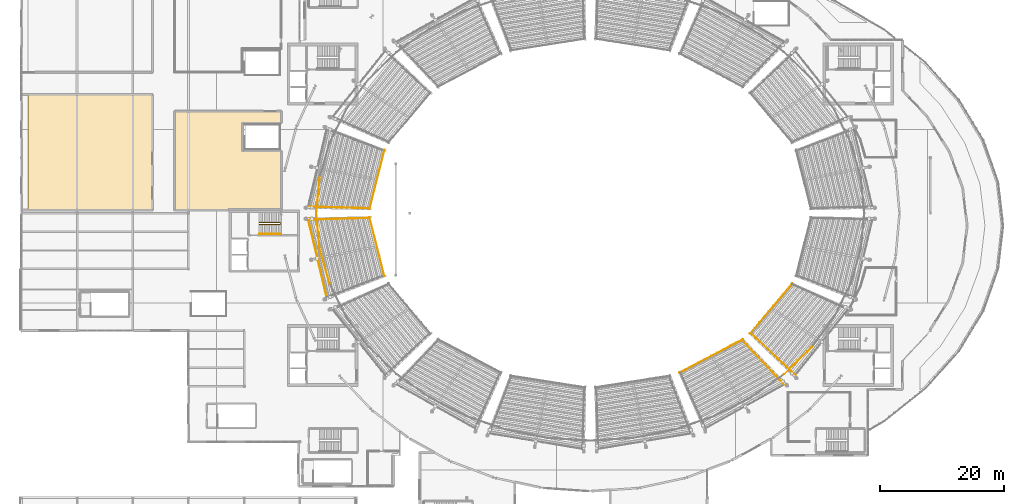
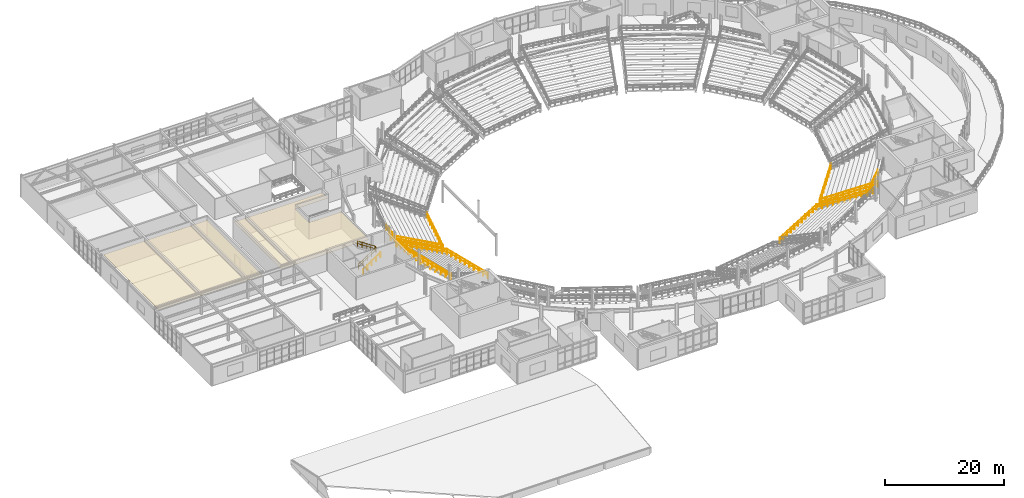
# One storey, part 74 of 81: 15 railings, 2 coverings.
"""IFC4 building model written with IfcOpenShell, lengths in metres."""

from ifc_helpers import new_model, si_unit, direction, frame, origin, origin_2d, place, context, subcontext, project, spatial, polyline, circle, outline, extrude, material, layer, layer_set, type_object, element, save


model = new_model("IFC4")

# Units and contexts
model_context = context("Model", 3, precision=1e-05, world=origin(), true_north=direction((0.0, 1.0)))
body_context = subcontext(model_context, "Body", "Model", "MODEL_VIEW")
ifc_project = project(units=[si_unit("LENGTHUNIT", "METRE"), si_unit("AREAUNIT", "SQUARE_METRE"), si_unit("VOLUMEUNIT", "CUBIC_METRE"), si_unit("PLANEANGLEUNIT", "RADIAN"), si_unit("MASSUNIT", "GRAM", prefix="KILO")], contexts=[model_context])

# Site, building, storey
site_placement = place(None, origin())
site = spatial("IfcSite", under=ifc_project, at=site_placement, CompositionType="ELEMENT")
building_placement = place(site_placement, origin())
building = spatial("IfcBuilding", under=site, at=building_placement, Name="Glasvene Arena", CompositionType="ELEMENT")
storey_placement = place(building_placement, frame((0.0, 0.0, 15.0)))
storey = spatial("IfcBuildingStorey", under=building, at=storey_placement, Name="L03", CompositionType="ELEMENT", Elevation=15.0)

# Coverings
ifc_material_1 = material(Name="Perforated acoustic mineral ceiling tile")
ifc_layer = layer(ifc_material_1, 0.0400390625)
ifc_layer_set = layer_set([ifc_layer], Name="Perforated acoustic mineral ceiling tile")
covering_type = type_object("IfcCoveringType", Name="COV-CEIL-AC", PredefinedType="CEILING", material=ifc_layer_set)
covering_1_placement = place(storey_placement, frame((11.10009765625, 82.85009765625, 3.31005859375)))
element("IfcCovering", 1, at=covering_1_placement, inside=storey, type_object=covering_type, Name="Acoustic suspended ceiling Written Press Conference Room", PredefinedType="CEILING", context=body_context, shape_type="SweptSolid", body=[
    extrude(outline(polyline([(10.079833984375, 9.329833984375), (10.079833984375, -9.330078125), (-10.080078125, -9.330078125), (-10.080078125, 9.329833984375), (10.079833984375, 9.329833984375)])), origin(), (0.0, 0.0, 1.0), 0.0400390625),
])
covering_2_placement = place(storey_placement, frame((35.45068359375, 81.89794921875, 3.31005859375)))
element("IfcCovering", 2, at=covering_2_placement, inside=storey, type_object=covering_type, Name="Acoustic suspended ceiling Photographer and Media Workroom", PredefinedType="CEILING", context=body_context, shape_type="SweptSolid", body=[
    extrude(outline(polyline([(-10.630615234375, -8.3779296875), (-10.630615234375, 7.58203125), (6.529296875, 7.58203125), (6.529296875, 5.72216796875), (0.249267578125, 5.72216796875), (0.235107421875, 5.716064453125), (0.229248046875, 5.7021484375), (0.229248046875, 1.152099609375), (0.23828125, 1.135498046875), (6.529296875, 1.132080078125), (6.529296875, -8.22802734375), (-2.000732421875, -8.22802734375), (-2.01611328125, -8.2353515625), (-2.020751953125, -8.3779296875), (-10.630615234375, -8.3779296875)])), origin(), (0.0, 0.0, 1.0), 0.0400390625),
])

# Railings
ifc_material_2 = material(Name="Brushed stainless steel", Category="steel")
railing_type_1 = type_object("IfcRailingType", Name="RL-GUARD-1100", PredefinedType="GUARDRAIL", material=ifc_material_2)
railing_1_placement = place(storey_placement, frame((38.449951171875, 71.159912109375, 0.0)))
element("IfcRailing", 3, at=railing_1_placement, inside=storey, type_object=railing_type_1, Name="Stair inner well continuous guardrail ST-07-L03", PredefinedType="GUARDRAIL", context=body_context, shape_type="SweptSolid", body=[
    extrude(circle(Radius=0.02392578125, at=origin_2d()), frame((0.0, 0.0, 1.076171875), z_axis=(0.833943147616, 0.0, 0.551850366082), x_axis=(0.0, 1.0, 0.0)), (0.0, 0.0, 1.0), 4.0771484375),
    extrude(circle(Radius=0.01611328125, at=origin_2d()), frame((0.0, 0.0, 0.550048828125), z_axis=(0.833943147616, 0.0, 0.551850366082), x_axis=(0.0, 1.0, 0.0)), (0.0, 0.0, 1.0), 4.0771484375),
    extrude(circle(Radius=0.02392578125, at=origin_2d()), frame((3.400146484375, 0.0, 3.326171875), z_axis=(0.0, 1.0, 0.0), x_axis=(-1.0, 0.0, 0.0)), (0.0, 0.0, 1.0), 0.330078125),
    extrude(circle(Radius=0.01611328125, at=origin_2d()), frame((3.400146484375, 0.0, 2.800048828125), z_axis=(0.0, 1.0, 0.0), x_axis=(-1.0, 0.0, 0.0)), (0.0, 0.0, 1.0), 0.330078125),
    extrude(circle(Radius=0.02392578125, at=origin_2d()), frame((3.400146484375, 0.330078125, 3.326171875), z_axis=(-0.833943147616, 0.0, 0.551850366082), x_axis=(0.0, -1.0, 0.0)), (0.0, 0.0, 1.0), 4.0771484375),
    extrude(circle(Radius=0.01611328125, at=origin_2d()), frame((3.400146484375, 0.330078125, 2.800048828125), z_axis=(-0.833943147616, 0.0, 0.551850366082), x_axis=(0.0, -1.0, 0.0)), (0.0, 0.0, 1.0), 4.0771484375),
    extrude(circle(Radius=0.02099609375, at=origin_2d()), origin(), (0.0, 0.0, 1.0), 1.052001953125),
    extrude(circle(Radius=0.02099609375, at=origin_2d()), frame((0.85009765625, 0.0, 0.5625)), (0.0, 0.0, 1.0), 1.052001953125),
    extrude(circle(Radius=0.02099609375, at=origin_2d()), frame((1.7001953125, 0.0, 1.125)), (0.0, 0.0, 1.0), 1.052001953125),
    extrude(circle(Radius=0.02099609375, at=origin_2d()), frame((2.550048828125, 0.0, 1.6875)), (0.0, 0.0, 1.0), 1.052001953125),
    extrude(circle(Radius=0.02099609375, at=origin_2d()), frame((3.400146484375, 0.0, 2.25)), (0.0, 0.0, 1.0), 1.052001953125),
    extrude(circle(Radius=0.02099609375, at=origin_2d()), frame((3.400146484375, 0.330078125, 2.25)), (0.0, 0.0, 1.0), 1.052001953125),
    extrude(circle(Radius=0.02099609375, at=origin_2d()), frame((2.550048828125, 0.330078125, 2.8125)), (0.0, 0.0, 1.0), 1.052001953125),
    extrude(circle(Radius=0.02099609375, at=origin_2d()), frame((1.7001953125, 0.330078125, 3.375)), (0.0, 0.0, 1.0), 1.052001953125),
    extrude(circle(Radius=0.02099609375, at=origin_2d()), frame((0.85009765625, 0.330078125, 3.9375)), (0.0, 0.0, 1.0), 1.052001953125),
    extrude(circle(Radius=0.02099609375, at=origin_2d()), frame((0.0, 0.330078125, 4.5)), (0.0, 0.0, 1.0), 1.052001953125),
])
railing_2_placement = place(storey_placement, frame((48.2255859375, 78.760009765625, 0.0)))
element("IfcRailing", 4, at=railing_2_placement, inside=storey, type_object=railing_type_1, Name="Safety guardrail GD-BWL-L03-020", PredefinedType="GUARDRAIL", context=body_context, shape_type="SweptSolid", body=[
    extrude(circle(Radius=0.02392578125, at=origin_2d()), frame((0.0, 0.0, 1.076171875), z_axis=(-0.094309265042, -0.99554294861, 0.0), x_axis=(0.99554294861, -0.094309265042, 0.0)), (0.0, 0.0, 1.0), 5.785888671875),
    extrude(circle(Radius=0.01611328125, at=origin_2d()), frame((0.0, 0.0, 0.550048828125), z_axis=(-0.094309265042, -0.99554294861, 0.0), x_axis=(0.99554294861, -0.094309265042, 0.0)), (0.0, 0.0, 1.0), 5.785888671875),
    extrude(circle(Radius=0.02099609375, at=origin_2d()), origin(), (0.0, 0.0, 1.0), 1.052001953125),
    extrude(circle(Radius=0.02099609375, at=origin_2d()), frame((-0.109130859375, -1.152099609375, 0.0)), (0.0, 0.0, 1.0), 1.052001953125),
    extrude(circle(Radius=0.02099609375, at=origin_2d()), frame((-0.21826171875, -2.303955078125, 0.0)), (0.0, 0.0, 1.0), 1.052001953125),
    extrude(circle(Radius=0.02099609375, at=origin_2d()), frame((-0.327392578125, -3.4560546875, 0.0)), (0.0, 0.0, 1.0), 1.052001953125),
    extrude(circle(Radius=0.02099609375, at=origin_2d()), frame((-0.4365234375, -4.60791015625, 0.0)), (0.0, 0.0, 1.0), 1.052001953125),
    extrude(circle(Radius=0.02099609375, at=origin_2d()), frame((-0.545654296875, -5.760009765625, 0.0)), (0.0, 0.0, 1.0), 1.052001953125),
])
railing_3_placement = place(storey_placement, frame((47.679931640625, 73.0, 0.0)))
element("IfcRailing", 5, at=railing_3_placement, inside=storey, type_object=railing_type_1, Name="Safety guardrail GD-BWL-L03-021", PredefinedType="GUARDRAIL", context=body_context, shape_type="SweptSolid", body=[
    extrude(circle(Radius=0.02392578125, at=origin_2d()), frame((0.0, 0.0, 1.076171875), z_axis=(0.094309265042, -0.99554294861, 0.0), x_axis=(0.99554294861, 0.094309265042, 0.0)), (0.0, 0.0, 1.0), 5.785888671875),
    extrude(circle(Radius=0.01611328125, at=origin_2d()), frame((0.0, 0.0, 0.550048828125), z_axis=(0.094309265042, -0.99554294861, 0.0), x_axis=(0.99554294861, 0.094309265042, 0.0)), (0.0, 0.0, 1.0), 5.785888671875),
    extrude(circle(Radius=0.02099609375, at=origin_2d()), origin(), (0.0, 0.0, 1.0), 1.052001953125),
    extrude(circle(Radius=0.02099609375, at=origin_2d()), frame((0.109130859375, -1.152099609375, 0.0)), (0.0, 0.0, 1.0), 1.052001953125),
    extrude(circle(Radius=0.02099609375, at=origin_2d()), frame((0.21826171875, -2.303955078125, 0.0)), (0.0, 0.0, 1.0), 1.052001953125),
    extrude(circle(Radius=0.02099609375, at=origin_2d()), frame((0.327392578125, -3.4560546875, 0.0)), (0.0, 0.0, 1.0), 1.052001953125),
    extrude(circle(Radius=0.02099609375, at=origin_2d()), frame((0.4365234375, -4.60791015625, 0.0)), (0.0, 0.0, 1.0), 1.052001953125),
    extrude(circle(Radius=0.02099609375, at=origin_2d()), frame((0.545654296875, -5.760009765625, 0.0)), (0.0, 0.0, 1.0), 1.052001953125),
])
railing_4_placement = place(storey_placement, frame((48.2255859375, 67.239990234375, 0.0)))
element("IfcRailing", 6, at=railing_4_placement, inside=storey, type_object=railing_type_1, Name="Safety guardrail GD-BWL-L03-022", PredefinedType="GUARDRAIL", context=body_context, shape_type="SweptSolid", body=[
    extrude(circle(Radius=0.02392578125, at=origin_2d()), frame((0.0, 0.0, 1.076171875), z_axis=(0.27763127496, -0.960687709489, 0.0), x_axis=(0.960687709489, 0.27763127496, 0.0)), (0.0, 0.0, 1.0), 5.847900390625),
    extrude(circle(Radius=0.01611328125, at=origin_2d()), frame((0.0, 0.0, 0.550048828125), z_axis=(0.27763127496, -0.960687709489, 0.0), x_axis=(0.960687709489, 0.27763127496, 0.0)), (0.0, 0.0, 1.0), 5.847900390625),
    extrude(circle(Radius=0.02099609375, at=origin_2d()), origin(), (0.0, 0.0, 1.0), 1.052001953125),
    extrude(circle(Radius=0.02099609375, at=origin_2d()), frame((0.32470703125, -1.12353515625, 0.0)), (0.0, 0.0, 1.0), 1.052001953125),
    extrude(circle(Radius=0.02099609375, at=origin_2d()), frame((0.6494140625, -2.2470703125, 0.0)), (0.0, 0.0, 1.0), 1.052001953125),
    extrude(circle(Radius=0.02099609375, at=origin_2d()), frame((0.97412109375, -3.370849609375, 0.0)), (0.0, 0.0, 1.0), 1.052001953125),
    extrude(circle(Radius=0.02099609375, at=origin_2d()), frame((1.298828125, -4.494384765625, 0.0)), (0.0, 0.0, 1.0), 1.052001953125),
    extrude(circle(Radius=0.02099609375, at=origin_2d()), frame((1.62353515625, -5.617919921875, 0.0)), (0.0, 0.0, 1.0), 1.052001953125),
])
railing_5_placement = place(storey_placement, frame((123.339111328125, 46.96435546875, 0.0)))
element("IfcRailing", 7, at=railing_5_placement, inside=storey, type_object=railing_type_1, Name="Safety guardrail GD-BWL-L03-036", PredefinedType="GUARDRAIL", context=body_context, shape_type="SweptSolid", body=[
    extrude(circle(Radius=0.02392578125, at=origin_2d()), frame((0.0, 0.0, 1.076171875), z_axis=(0.716822755591, 0.697255431722, 0.0), x_axis=(-0.697255431722, 0.716822755591, 0.0)), (0.0, 0.0, 1.0), 6.30078125),
    extrude(circle(Radius=0.01611328125, at=origin_2d()), frame((0.0, 0.0, 0.550048828125), z_axis=(0.716822755591, 0.697255431722, 0.0), x_axis=(-0.697255431722, 0.716822755591, 0.0)), (0.0, 0.0, 1.0), 6.30078125),
    extrude(circle(Radius=0.02099609375, at=origin_2d()), origin(), (0.0, 0.0, 1.0), 1.052001953125),
    extrude(circle(Radius=0.02099609375, at=origin_2d()), frame((0.752685546875, 0.732177734375, 0.0)), (0.0, 0.0, 1.0), 1.052001953125),
    extrude(circle(Radius=0.02099609375, at=origin_2d()), frame((1.505615234375, 1.46435546875, 0.0)), (0.0, 0.0, 1.0), 1.052001953125),
    extrude(circle(Radius=0.02099609375, at=origin_2d()), frame((2.25830078125, 2.19677734375, 0.0)), (0.0, 0.0, 1.0), 1.052001953125),
    extrude(circle(Radius=0.02099609375, at=origin_2d()), frame((3.010986328125, 2.928955078125, 0.0)), (0.0, 0.0, 1.0), 1.052001953125),
    extrude(circle(Radius=0.02099609375, at=origin_2d()), frame((3.763916015625, 3.6611328125, 0.0)), (0.0, 0.0, 1.0), 1.052001953125),
    extrude(circle(Radius=0.02099609375, at=origin_2d()), frame((4.5166015625, 4.393310546875, 0.0)), (0.0, 0.0, 1.0), 1.052001953125),
])
railing_6_placement = place(storey_placement, frame((58.697509765625, 83.205078125, -3.89990234375)))
element("IfcRailing", 8, at=railing_6_placement, inside=storey, type_object=railing_type_1, Name="Safety guardrail GD-TU-UF-08-001", PredefinedType="GUARDRAIL", context=body_context, shape_type="SweptSolid", body=[
    extrude(circle(Radius=0.02392578125, at=origin_2d()), frame((0.0, 0.0, 1.076171875), z_axis=(-0.24415436349, -0.969736380048, 0.0), x_axis=(0.969736380048, -0.24415436349, 0.0)), (0.0, 0.0, 1.0), 9.863525390625),
    extrude(circle(Radius=0.01611328125, at=origin_2d()), frame((0.0, 0.0, 0.550048828125), z_axis=(-0.24415436349, -0.969736380048, 0.0), x_axis=(0.969736380048, -0.24415436349, 0.0)), (0.0, 0.0, 1.0), 9.863525390625),
    extrude(circle(Radius=0.02099609375, at=origin_2d()), origin(), (0.0, 0.0, 1.0), 1.052001953125),
    extrude(circle(Radius=0.02099609375, at=origin_2d()), frame((-0.267578125, -1.062744140625, 0.0)), (0.0, 0.0, 1.0), 1.052001953125),
    extrude(circle(Radius=0.02099609375, at=origin_2d()), frame((-0.53515625, -2.12548828125, 0.0)), (0.0, 0.0, 1.0), 1.052001953125),
    extrude(circle(Radius=0.02099609375, at=origin_2d()), frame((-0.802734375, -3.188232421875, 0.0)), (0.0, 0.0, 1.0), 1.052001953125),
    extrude(circle(Radius=0.02099609375, at=origin_2d()), frame((-1.0703125, -4.2509765625, 0.0)), (0.0, 0.0, 1.0), 1.052001953125),
    extrude(circle(Radius=0.02099609375, at=origin_2d()), frame((-1.337890625, -5.31396484375, 0.0)), (0.0, 0.0, 1.0), 1.052001953125),
    extrude(circle(Radius=0.02099609375, at=origin_2d()), frame((-1.60546875, -6.376708984375, 0.0)), (0.0, 0.0, 1.0), 1.052001953125),
    extrude(circle(Radius=0.02099609375, at=origin_2d()), frame((-1.873046875, -7.439453125, 0.0)), (0.0, 0.0, 1.0), 1.052001953125),
    extrude(circle(Radius=0.02099609375, at=origin_2d()), frame((-2.140625, -8.502197265625, 0.0)), (0.0, 0.0, 1.0), 1.052001953125),
    extrude(circle(Radius=0.02099609375, at=origin_2d()), frame((-2.408203125, -9.56494140625, 0.0)), (0.0, 0.0, 1.0), 1.052001953125),
])
railing_7_placement = place(storey_placement, frame((56.263671875, 73.781982421875, -3.89990234375)))
element("IfcRailing", 9, at=railing_7_placement, inside=storey, type_object=railing_type_1, Name="Upper tier radial aisle guard 08-2", PredefinedType="GUARDRAIL", context=body_context, shape_type="SweptSolid", body=[
    extrude(circle(Radius=0.02392578125, at=origin_2d()), frame((0.0, 0.0, 1.076171875), z_axis=(-0.882023201836, 0.024435970289, 0.470571944317), x_axis=(-0.027693826966, -0.99961645242, 0.0)), (0.0, 0.0, 1.0), 11.219970703125),
    extrude(circle(Radius=0.01611328125, at=origin_2d()), frame((0.0, 0.0, 0.550048828125), z_axis=(-0.882023201836, 0.024435970289, 0.470571944317), x_axis=(-0.027693826966, -0.99961645242, 0.0)), (0.0, 0.0, 1.0), 11.219970703125),
    extrude(circle(Radius=0.02099609375, at=origin_2d()), origin(), (0.0, 0.0, 1.0), 1.052001953125),
    extrude(circle(Radius=0.02099609375, at=origin_2d()), frame((-0.98974609375, 0.02734375, 0.528076171875)), (0.0, 0.0, 1.0), 1.052001953125),
    extrude(circle(Radius=0.02099609375, at=origin_2d()), frame((-1.979248046875, 0.054931640625, 1.055908203125)), (0.0, 0.0, 1.0), 1.052001953125),
    extrude(circle(Radius=0.02099609375, at=origin_2d()), frame((-2.96875, 0.082275390625, 1.583984375)), (0.0, 0.0, 1.0), 1.052001953125),
    extrude(circle(Radius=0.02099609375, at=origin_2d()), frame((-3.95849609375, 0.109619140625, 2.11181640625)), (0.0, 0.0, 1.0), 1.052001953125),
    extrude(circle(Radius=0.02099609375, at=origin_2d()), frame((-4.9482421875, 0.13720703125, 2.639892578125)), (0.0, 0.0, 1.0), 1.052001953125),
    extrude(circle(Radius=0.02099609375, at=origin_2d()), frame((-5.937744140625, 0.16455078125, 3.16796875)), (0.0, 0.0, 1.0), 1.052001953125),
    extrude(circle(Radius=0.02099609375, at=origin_2d()), frame((-6.92724609375, 0.19189453125, 3.69580078125)), (0.0, 0.0, 1.0), 1.052001953125),
    extrude(circle(Radius=0.02099609375, at=origin_2d()), frame((-7.9169921875, 0.21923828125, 4.223876953125)), (0.0, 0.0, 1.0), 1.052001953125),
    extrude(circle(Radius=0.02099609375, at=origin_2d()), frame((-8.90673828125, 0.246826171875, 4.751708984375)), (0.0, 0.0, 1.0), 1.052001953125),
    extrude(circle(Radius=0.02099609375, at=origin_2d()), frame((-9.896240234375, 0.274169921875, 5.27978515625)), (0.0, 0.0, 1.0), 1.052001953125),
])
railing_8_placement = place(storey_placement, frame((56.289306640625, 72.35986328125, -3.89990234375)))
element("IfcRailing", 10, at=railing_8_placement, inside=storey, type_object=railing_type_1, Name="Safety guardrail GD-TU-UF-09-001", PredefinedType="GUARDRAIL", context=body_context, shape_type="SweptSolid", body=[
    extrude(circle(Radius=0.02392578125, at=origin_2d()), frame((0.0, 0.0, 1.076171875), z_axis=(0.24415436349, -0.969736380048, 0.0), x_axis=(0.969736380048, 0.24415436349, 0.0)), (0.0, 0.0, 1.0), 9.863525390625),
    extrude(circle(Radius=0.01611328125, at=origin_2d()), frame((0.0, 0.0, 0.550048828125), z_axis=(0.24415436349, -0.969736380048, 0.0), x_axis=(0.969736380048, 0.24415436349, 0.0)), (0.0, 0.0, 1.0), 9.863525390625),
    extrude(circle(Radius=0.02099609375, at=origin_2d()), origin(), (0.0, 0.0, 1.0), 1.052001953125),
    extrude(circle(Radius=0.02099609375, at=origin_2d()), frame((0.267578125, -1.062744140625, 0.0)), (0.0, 0.0, 1.0), 1.052001953125),
    extrude(circle(Radius=0.02099609375, at=origin_2d()), frame((0.53515625, -2.12548828125, 0.0)), (0.0, 0.0, 1.0), 1.052001953125),
    extrude(circle(Radius=0.02099609375, at=origin_2d()), frame((0.802734375, -3.188232421875, 0.0)), (0.0, 0.0, 1.0), 1.052001953125),
    extrude(circle(Radius=0.02099609375, at=origin_2d()), frame((1.0703125, -4.2509765625, 0.0)), (0.0, 0.0, 1.0), 1.052001953125),
    extrude(circle(Radius=0.02099609375, at=origin_2d()), frame((1.337890625, -5.31396484375, 0.0)), (0.0, 0.0, 1.0), 1.052001953125),
    extrude(circle(Radius=0.02099609375, at=origin_2d()), frame((1.60546875, -6.376708984375, 0.0)), (0.0, 0.0, 1.0), 1.052001953125),
    extrude(circle(Radius=0.02099609375, at=origin_2d()), frame((1.873046875, -7.439453125, 0.0)), (0.0, 0.0, 1.0), 1.052001953125),
    extrude(circle(Radius=0.02099609375, at=origin_2d()), frame((2.140625, -8.502197265625, 0.0)), (0.0, 0.0, 1.0), 1.052001953125),
    extrude(circle(Radius=0.02099609375, at=origin_2d()), frame((2.408203125, -9.56494140625, 0.0)), (0.0, 0.0, 1.0), 1.052001953125),
])
railing_9_placement = place(storey_placement, frame((46.331787109375, 72.1337890625, 1.3798828125)))
element("IfcRailing", 11, at=railing_9_placement, inside=storey, type_object=railing_type_1, Name="Safety guardrail GD-TU-UR-09-001", PredefinedType="GUARDRAIL", context=body_context, shape_type="SweptSolid", body=[
    extrude(circle(Radius=0.02392578125, at=origin_2d()), frame((0.0, 0.0, 1.076171875), z_axis=(0.231512176675, -0.972832006079, 0.0), x_axis=(0.972832006079, 0.231512176675, 0.0)), (0.0, 0.0, 1.0), 13.302001953125),
    extrude(circle(Radius=0.01611328125, at=origin_2d()), frame((0.0, 0.0, 0.550048828125), z_axis=(0.231512176675, -0.972832006079, 0.0), x_axis=(0.972832006079, 0.231512176675, 0.0)), (0.0, 0.0, 1.0), 13.302001953125),
    extrude(circle(Radius=0.02099609375, at=origin_2d()), origin(), (0.0, 0.0, 1.0), 1.052001953125),
    extrude(circle(Radius=0.02099609375, at=origin_2d()), frame((0.256591796875, -1.078369140625, 0.0)), (0.0, 0.0, 1.0), 1.052001953125),
    extrude(circle(Radius=0.02099609375, at=origin_2d()), frame((0.51318359375, -2.15673828125, 0.0)), (0.0, 0.0, 1.0), 1.052001953125),
    extrude(circle(Radius=0.02099609375, at=origin_2d()), frame((0.77001953125, -3.235107421875, 0.0)), (0.0, 0.0, 1.0), 1.052001953125),
    extrude(circle(Radius=0.02099609375, at=origin_2d()), frame((1.026611328125, -4.3134765625, 0.0)), (0.0, 0.0, 1.0), 1.052001953125),
    extrude(circle(Radius=0.02099609375, at=origin_2d()), frame((1.283203125, -5.391845703125, 0.0)), (0.0, 0.0, 1.0), 1.052001953125),
    extrude(circle(Radius=0.02099609375, at=origin_2d()), frame((1.539794921875, -6.47021484375, 0.0)), (0.0, 0.0, 1.0), 1.052001953125),
    extrude(circle(Radius=0.02099609375, at=origin_2d()), frame((1.79638671875, -7.548828125, 0.0)), (0.0, 0.0, 1.0), 1.052001953125),
    extrude(circle(Radius=0.02099609375, at=origin_2d()), frame((2.052978515625, -8.627197265625, 0.0)), (0.0, 0.0, 1.0), 1.052001953125),
    extrude(circle(Radius=0.02099609375, at=origin_2d()), frame((2.3095703125, -9.70556640625, 0.0)), (0.0, 0.0, 1.0), 1.052001953125),
    extrude(circle(Radius=0.02099609375, at=origin_2d()), frame((2.56640625, -10.783935546875, 0.0)), (0.0, 0.0, 1.0), 1.052001953125),
    extrude(circle(Radius=0.02099609375, at=origin_2d()), frame((2.822998046875, -11.8623046875, 0.0)), (0.0, 0.0, 1.0), 1.052001953125),
    extrude(circle(Radius=0.02099609375, at=origin_2d()), frame((3.07958984375, -12.940673828125, 0.0)), (0.0, 0.0, 1.0), 1.052001953125),
])
railing_10_placement = place(storey_placement, frame((56.263671875, 72.218017578125, -3.89990234375)))
element("IfcRailing", 12, at=railing_10_placement, inside=storey, type_object=railing_type_1, Name="Upper tier radial aisle guard 09-1", PredefinedType="GUARDRAIL", context=body_context, shape_type="SweptSolid", body=[
    extrude(circle(Radius=0.02392578125, at=origin_2d()), frame((0.0, 0.0, 1.076171875), z_axis=(-0.882023201836, -0.024435970289, 0.470571944317), x_axis=(0.027693826966, -0.99961645242, 0.0)), (0.0, 0.0, 1.0), 11.219970703125),
    extrude(circle(Radius=0.01611328125, at=origin_2d()), frame((0.0, 0.0, 0.550048828125), z_axis=(-0.882023201836, -0.024435970289, 0.470571944317), x_axis=(0.027693826966, -0.99961645242, 0.0)), (0.0, 0.0, 1.0), 11.219970703125),
    extrude(circle(Radius=0.02099609375, at=origin_2d()), origin(), (0.0, 0.0, 1.0), 1.052001953125),
    extrude(circle(Radius=0.02099609375, at=origin_2d()), frame((-0.98974609375, -0.02734375, 0.528076171875)), (0.0, 0.0, 1.0), 1.052001953125),
    extrude(circle(Radius=0.02099609375, at=origin_2d()), frame((-1.979248046875, -0.054931640625, 1.055908203125)), (0.0, 0.0, 1.0), 1.052001953125),
    extrude(circle(Radius=0.02099609375, at=origin_2d()), frame((-2.96875, -0.082275390625, 1.583984375)), (0.0, 0.0, 1.0), 1.052001953125),
    extrude(circle(Radius=0.02099609375, at=origin_2d()), frame((-3.95849609375, -0.109619140625, 2.11181640625)), (0.0, 0.0, 1.0), 1.052001953125),
    extrude(circle(Radius=0.02099609375, at=origin_2d()), frame((-4.9482421875, -0.13720703125, 2.639892578125)), (0.0, 0.0, 1.0), 1.052001953125),
    extrude(circle(Radius=0.02099609375, at=origin_2d()), frame((-5.937744140625, -0.16455078125, 3.16796875)), (0.0, 0.0, 1.0), 1.052001953125),
    extrude(circle(Radius=0.02099609375, at=origin_2d()), frame((-6.92724609375, -0.19189453125, 3.69580078125)), (0.0, 0.0, 1.0), 1.052001953125),
    extrude(circle(Radius=0.02099609375, at=origin_2d()), frame((-7.9169921875, -0.21923828125, 4.223876953125)), (0.0, 0.0, 1.0), 1.052001953125),
    extrude(circle(Radius=0.02099609375, at=origin_2d()), frame((-8.90673828125, -0.246826171875, 4.751708984375)), (0.0, 0.0, 1.0), 1.052001953125),
    extrude(circle(Radius=0.02099609375, at=origin_2d()), frame((-9.896240234375, -0.274169921875, 5.27978515625)), (0.0, 0.0, 1.0), 1.052001953125),
])
railing_11_placement = place(storey_placement, frame((106.41455078125, 47.1796875, -3.89990234375)))
element("IfcRailing", 13, at=railing_11_placement, inside=storey, type_object=railing_type_1, Name="Safety guardrail GD-TU-UF-14-001", PredefinedType="GUARDRAIL", context=body_context, shape_type="SweptSolid", body=[
    extrude(circle(Radius=0.02392578125, at=origin_2d()), frame((0.0, 0.0, 1.076171875), z_axis=(0.884339402023, 0.466844537324, 0.0), x_axis=(-0.466844537324, 0.884339402023, 0.0)), (0.0, 0.0, 1.0), 11.60595703125),
    extrude(circle(Radius=0.01611328125, at=origin_2d()), frame((0.0, 0.0, 0.550048828125), z_axis=(0.884339402023, 0.466844537324, 0.0), x_axis=(-0.466844537324, 0.884339402023, 0.0)), (0.0, 0.0, 1.0), 11.60595703125),
    extrude(circle(Radius=0.02099609375, at=origin_2d()), origin(), (0.0, 0.0, 1.0), 1.052001953125),
    extrude(circle(Radius=0.02099609375, at=origin_2d()), frame((1.0263671875, 0.541748046875, 0.0)), (0.0, 0.0, 1.0), 1.052001953125),
    extrude(circle(Radius=0.02099609375, at=origin_2d()), frame((2.052734375, 1.083740234375, 0.0)), (0.0, 0.0, 1.0), 1.052001953125),
    extrude(circle(Radius=0.02099609375, at=origin_2d()), frame((3.0791015625, 1.62548828125, 0.0)), (0.0, 0.0, 1.0), 1.052001953125),
    extrude(circle(Radius=0.02099609375, at=origin_2d()), frame((4.10546875, 2.167236328125, 0.0)), (0.0, 0.0, 1.0), 1.052001953125),
    extrude(circle(Radius=0.02099609375, at=origin_2d()), frame((5.1318359375, 2.708984375, 0.0)), (0.0, 0.0, 1.0), 1.052001953125),
    extrude(circle(Radius=0.02099609375, at=origin_2d()), frame((6.158203125, 3.2509765625, 0.0)), (0.0, 0.0, 1.0), 1.052001953125),
    extrude(circle(Radius=0.02099609375, at=origin_2d()), frame((7.1845703125, 3.792724609375, 0.0)), (0.0, 0.0, 1.0), 1.052001953125),
    extrude(circle(Radius=0.02099609375, at=origin_2d()), frame((8.2109375, 4.33447265625, 0.0)), (0.0, 0.0, 1.0), 1.052001953125),
    extrude(circle(Radius=0.02099609375, at=origin_2d()), frame((9.2373046875, 4.87646484375, 0.0)), (0.0, 0.0, 1.0), 1.052001953125),
    extrude(circle(Radius=0.02099609375, at=origin_2d()), frame((10.263671875, 5.418212890625, 0.0)), (0.0, 0.0, 1.0), 1.052001953125),
])
railing_12_placement = place(storey_placement, frame((116.569580078125, 52.478759765625, -3.89990234375)))
element("IfcRailing", 14, at=railing_12_placement, inside=storey, type_object=railing_type_1, Name="Upper tier radial aisle guard 14-2", PredefinedType="GUARDRAIL", context=body_context, shape_type="SweptSolid", body=[
    extrude(circle(Radius=0.02392578125, at=origin_2d()), frame((0.0, 0.0, 1.076171875), z_axis=(0.60640450532, -0.640959204418, 0.470579296399), x_axis=(0.726416506845, 0.687254726126, 0.0)), (0.0, 0.0, 1.0), 11.2197265625),
    extrude(circle(Radius=0.01611328125, at=origin_2d()), frame((0.0, 0.0, 0.550048828125), z_axis=(0.60640450532, -0.640959204418, 0.470579296399), x_axis=(0.726416506845, 0.687254726126, 0.0)), (0.0, 0.0, 1.0), 11.2197265625),
    extrude(circle(Radius=0.02099609375, at=origin_2d()), origin(), (0.0, 0.0, 1.0), 1.052001953125),
    extrude(circle(Radius=0.02099609375, at=origin_2d()), frame((0.680419921875, -0.71923828125, 0.528076171875)), (0.0, 0.0, 1.0), 1.052001953125),
    extrude(circle(Radius=0.02099609375, at=origin_2d()), frame((1.36083984375, -1.438232421875, 1.055908203125)), (0.0, 0.0, 1.0), 1.052001953125),
    extrude(circle(Radius=0.02099609375, at=origin_2d()), frame((2.041015625, -2.157470703125, 1.583984375)), (0.0, 0.0, 1.0), 1.052001953125),
    extrude(circle(Radius=0.02099609375, at=origin_2d()), frame((2.721435546875, -2.87646484375, 2.11181640625)), (0.0, 0.0, 1.0), 1.052001953125),
    extrude(circle(Radius=0.02099609375, at=origin_2d()), frame((3.40185546875, -3.595703125, 2.639892578125)), (0.0, 0.0, 1.0), 1.052001953125),
    extrude(circle(Radius=0.02099609375, at=origin_2d()), frame((4.082275390625, -4.31494140625, 3.16796875)), (0.0, 0.0, 1.0), 1.052001953125),
    extrude(circle(Radius=0.02099609375, at=origin_2d()), frame((4.7626953125, -5.033935546875, 3.69580078125)), (0.0, 0.0, 1.0), 1.052001953125),
    extrude(circle(Radius=0.02099609375, at=origin_2d()), frame((5.44287109375, -5.753173828125, 4.223876953125)), (0.0, 0.0, 1.0), 1.052001953125),
    extrude(circle(Radius=0.02099609375, at=origin_2d()), frame((6.123291015625, -6.47216796875, 4.751708984375)), (0.0, 0.0, 1.0), 1.052001953125),
    extrude(circle(Radius=0.02099609375, at=origin_2d()), frame((6.8037109375, -7.19140625, 5.27978515625)), (0.0, 0.0, 1.0), 1.052001953125),
])
railing_13_placement = place(storey_placement, frame((117.824462890625, 53.50341796875, -3.89990234375)))
element("IfcRailing", 15, at=railing_13_placement, inside=storey, type_object=railing_type_1, Name="Safety guardrail GD-TU-UF-15-001", PredefinedType="GUARDRAIL", context=body_context, shape_type="SweptSolid", body=[
    extrude(circle(Radius=0.02392578125, at=origin_2d()), frame((0.0, 0.0, 1.076171875), z_axis=(0.645763939383, 0.763537120638, 0.0), x_axis=(-0.763537120638, 0.645763939383, 0.0)), (0.0, 0.0, 1.0), 10.619873046875),
    extrude(circle(Radius=0.01611328125, at=origin_2d()), frame((0.0, 0.0, 0.550048828125), z_axis=(0.645763939383, 0.763537120638, 0.0), x_axis=(-0.763537120638, 0.645763939383, 0.0)), (0.0, 0.0, 1.0), 10.619873046875),
    extrude(circle(Radius=0.02099609375, at=origin_2d()), origin(), (0.0, 0.0, 1.0), 1.052001953125),
    extrude(circle(Radius=0.02099609375, at=origin_2d()), frame((0.761962890625, 0.90087890625, 0.0)), (0.0, 0.0, 1.0), 1.052001953125),
    extrude(circle(Radius=0.02099609375, at=origin_2d()), frame((1.52392578125, 1.802001953125, 0.0)), (0.0, 0.0, 1.0), 1.052001953125),
    extrude(circle(Radius=0.02099609375, at=origin_2d()), frame((2.285888671875, 2.702880859375, 0.0)), (0.0, 0.0, 1.0), 1.052001953125),
    extrude(circle(Radius=0.02099609375, at=origin_2d()), frame((3.0478515625, 3.603759765625, 0.0)), (0.0, 0.0, 1.0), 1.052001953125),
    extrude(circle(Radius=0.02099609375, at=origin_2d()), frame((3.81005859375, 4.5048828125, 0.0)), (0.0, 0.0, 1.0), 1.052001953125),
    extrude(circle(Radius=0.02099609375, at=origin_2d()), frame((4.572021484375, 5.40576171875, 0.0)), (0.0, 0.0, 1.0), 1.052001953125),
    extrude(circle(Radius=0.02099609375, at=origin_2d()), frame((5.333984375, 6.306640625, 0.0)), (0.0, 0.0, 1.0), 1.052001953125),
    extrude(circle(Radius=0.02099609375, at=origin_2d()), frame((6.095947265625, 7.207763671875, 0.0)), (0.0, 0.0, 1.0), 1.052001953125),
    extrude(circle(Radius=0.02099609375, at=origin_2d()), frame((6.85791015625, 8.108642578125, 0.0)), (0.0, 0.0, 1.0), 1.052001953125),
])
railing_14_placement = place(storey_placement, frame((117.96923828125, 53.5849609375, -3.89990234375)))
element("IfcRailing", 16, at=railing_14_placement, inside=storey, type_object=railing_type_1, Name="Upper tier radial aisle guard 15-1", PredefinedType="GUARDRAIL", context=body_context, shape_type="SweptSolid", body=[
    extrude(circle(Radius=0.02392578125, at=origin_2d()), frame((0.0, 0.0, 1.076171875), z_axis=(0.640950746789, -0.606418263249, 0.470573086979), x_axis=(0.687267738972, 0.726404195313, 0.0)), (0.0, 0.0, 1.0), 11.219970703125),
    extrude(circle(Radius=0.01611328125, at=origin_2d()), frame((0.0, 0.0, 0.550048828125), z_axis=(0.640950746789, -0.606418263249, 0.470573086979), x_axis=(0.687267738972, 0.726404195313, 0.0)), (0.0, 0.0, 1.0), 11.219970703125),
    extrude(circle(Radius=0.02099609375, at=origin_2d()), origin(), (0.0, 0.0, 1.0), 1.052001953125),
    extrude(circle(Radius=0.02099609375, at=origin_2d()), frame((0.71923828125, -0.680419921875, 0.528076171875)), (0.0, 0.0, 1.0), 1.052001953125),
    extrude(circle(Radius=0.02099609375, at=origin_2d()), frame((1.438232421875, -1.36083984375, 1.055908203125)), (0.0, 0.0, 1.0), 1.052001953125),
    extrude(circle(Radius=0.02099609375, at=origin_2d()), frame((2.157470703125, -2.041259765625, 1.583984375)), (0.0, 0.0, 1.0), 1.052001953125),
    extrude(circle(Radius=0.02099609375, at=origin_2d()), frame((2.87646484375, -2.7216796875, 2.11181640625)), (0.0, 0.0, 1.0), 1.052001953125),
    extrude(circle(Radius=0.02099609375, at=origin_2d()), frame((3.595703125, -3.40185546875, 2.639892578125)), (0.0, 0.0, 1.0), 1.052001953125),
    extrude(circle(Radius=0.02099609375, at=origin_2d()), frame((4.31494140625, -4.082275390625, 3.16796875)), (0.0, 0.0, 1.0), 1.052001953125),
    extrude(circle(Radius=0.02099609375, at=origin_2d()), frame((5.033935546875, -4.7626953125, 3.69580078125)), (0.0, 0.0, 1.0), 1.052001953125),
    extrude(circle(Radius=0.02099609375, at=origin_2d()), frame((5.753173828125, -5.443115234375, 4.223876953125)), (0.0, 0.0, 1.0), 1.052001953125),
    extrude(circle(Radius=0.02099609375, at=origin_2d()), frame((6.47216796875, -6.12353515625, 4.751708984375)), (0.0, 0.0, 1.0), 1.052001953125),
    extrude(circle(Radius=0.02099609375, at=origin_2d()), frame((7.19140625, -6.803955078125, 5.27978515625)), (0.0, 0.0, 1.0), 1.052001953125),
])
railing_type_2 = type_object("IfcRailingType", Name="RL-HAND-950", PredefinedType="HANDRAIL", material=ifc_material_2)
railing_15_placement = place(storey_placement, frame((38.449951171875, 69.610107421875, 0.0)))
element("IfcRailing", 17, at=railing_15_placement, inside=storey, type_object=railing_type_2, Name="Stair wall handrail ST-07-L03", PredefinedType="HANDRAIL", context=body_context, shape_type="SweptSolid", body=[
    extrude(circle(Radius=0.02392578125, at=origin_2d()), frame((0.0, 0.0, 0.92578125), z_axis=(0.830915400975, 0.0, 0.556398774641), x_axis=(0.0, 1.0, 0.0)), (0.0, 0.0, 1.0), 4.0439453125),
    extrude(circle(Radius=0.02099609375, at=origin_2d()), origin(), (0.0, 0.0, 1.0), 0.90185546875),
    extrude(circle(Radius=0.02099609375, at=origin_2d()), frame((0.840087890625, 0.0, 0.5625)), (0.0, 0.0, 1.0), 0.90185546875),
    extrude(circle(Radius=0.02099609375, at=origin_2d()), frame((1.68017578125, 0.0, 1.125)), (0.0, 0.0, 1.0), 0.90185546875),
    extrude(circle(Radius=0.02099609375, at=origin_2d()), frame((2.52001953125, 0.0, 1.6875)), (0.0, 0.0, 1.0), 0.90185546875),
    extrude(circle(Radius=0.02099609375, at=origin_2d()), frame((3.360107421875, 0.0, 2.25)), (0.0, 0.0, 1.0), 0.90185546875),
])

save(model, "model.ifc")
